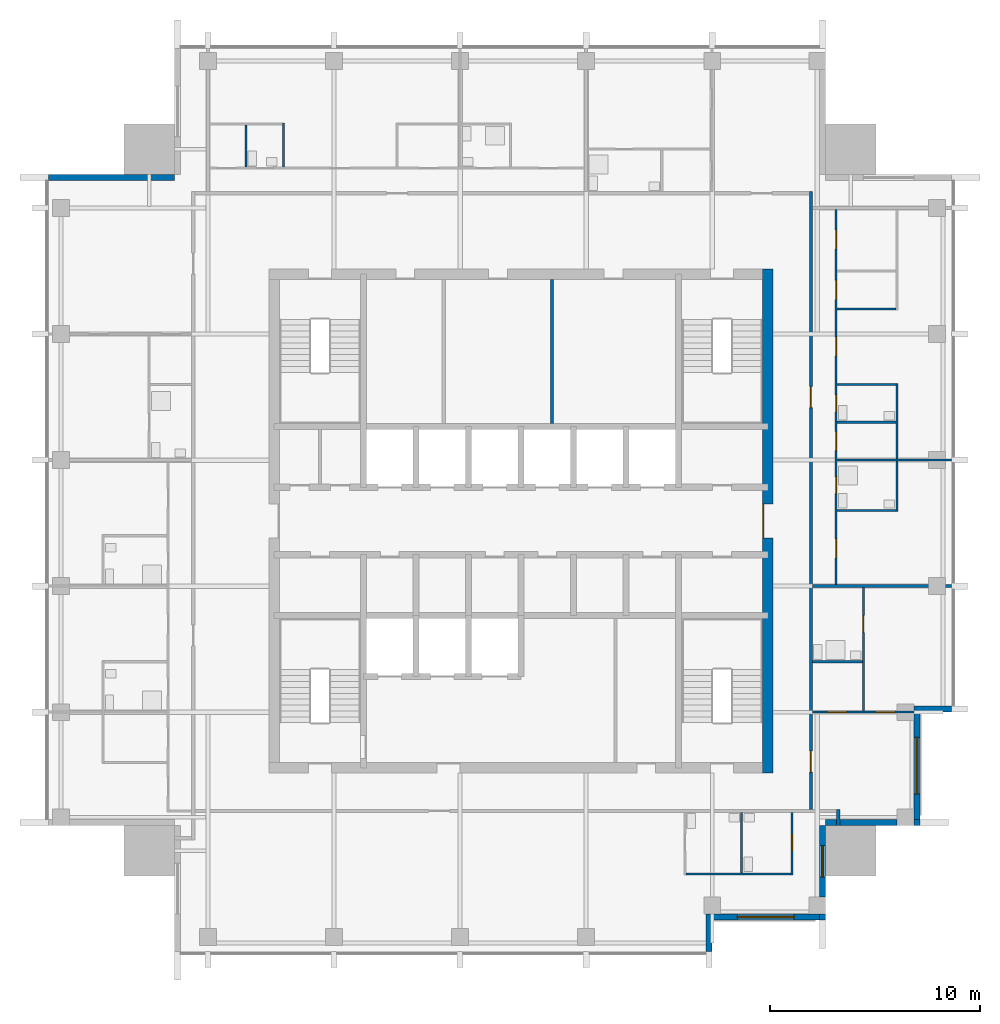
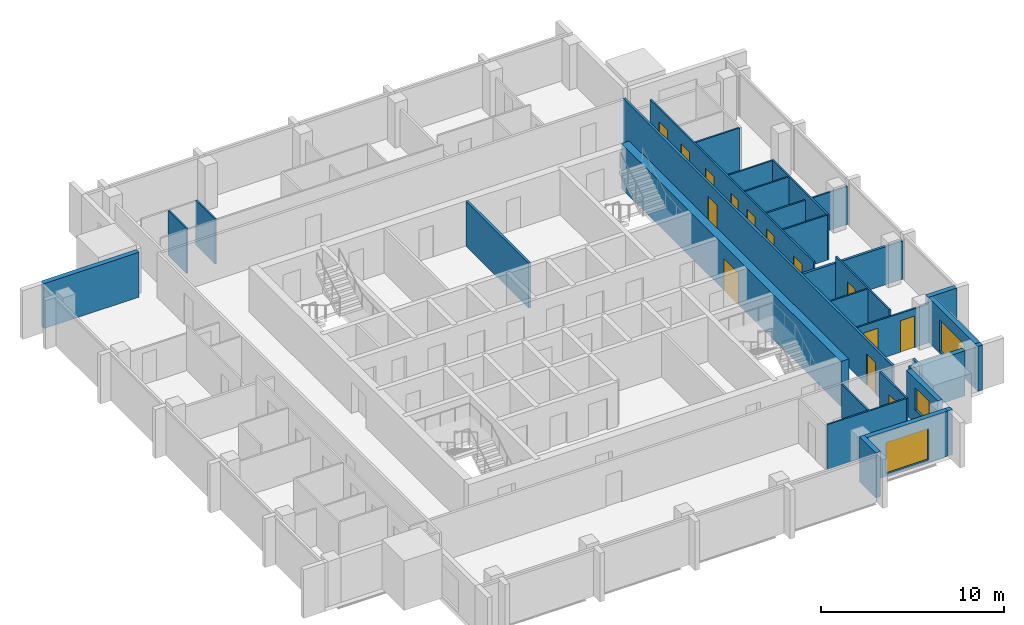
# One storey, part 5 of 9: 29 walls, 14 doors, 3 windows, 17 openings.
"""IFC4 building model written with IfcOpenShell, lengths in metres."""

from ifc_helpers import new_model, si_unit, direction, frame, frame_2d, origin, place, context, subcontext, project, spatial, rectangle, extrude, material, layer, layer_set, type_object, element, fill, save


model = new_model("IFC4")

# Units and contexts
model_context = context("Model", 3, precision=1e-05, world=origin(), true_north=direction((0.0, 1.0)))
body_context = subcontext(model_context, "Body", "Model", "MODEL_VIEW")
ifc_project = project(units=[si_unit("LENGTHUNIT", "METRE"), si_unit("AREAUNIT", "SQUARE_METRE"), si_unit("VOLUMEUNIT", "CUBIC_METRE"), si_unit("PLANEANGLEUNIT", "RADIAN"), si_unit("MASSUNIT", "GRAM", prefix="KILO")], contexts=[model_context])

# Site, building, storey
site_placement = place(None, origin())
site = spatial("IfcSite", under=ifc_project, at=site_placement, CompositionType="ELEMENT")
building_placement = place(site_placement, origin())
building = spatial("IfcBuilding", under=site, at=building_placement, Name="Amberfall Residences", CompositionType="ELEMENT")
storey_placement = place(building_placement, frame((0.0, 0.0, 278.5)))
storey = spatial("IfcBuildingStorey", under=building, at=storey_placement, Name="L75", CompositionType="ELEMENT", Elevation=278.5)

# Walls
ifc_material_1 = material(Name="Pale stone cladding on insulated backing", Category="masonry")
ifc_layer_1 = layer(ifc_material_1, 0.300048828125)
ifc_layer_set_1 = layer_set([ifc_layer_1], Name="Bronze clad wall 300")
wall_type_1 = type_object("IfcWallType", Name="Bronze clad wall 300", PredefinedType="SOLIDWALL", material=ifc_layer_set_1)
wall_1_placement = place(storey_placement, frame((83.449951171875, 25.0, 0.0), z_axis=(0.0, 0.0, 1.0), x_axis=(0.0, 1.0, 0.0)))
element("IfcWall", 1, at=wall_1_placement, inside=storey, type_object=wall_type_1, Name="External wall L75 S", PredefinedType="SOLIDWALL", context=body_context, shape_type="SweptSolid", body=[
    extrude(rectangle(XDim=1.800048828125, YDim=0.300048828125, at=frame_2d((0.89990234375, 0.0))), origin(), (0.0, 0.0, 1.0), 3.0),
])
wall_2_placement = place(storey_placement, frame((88.85009765625, 26.5, 0.0), z_axis=(0.0, 0.0, 1.0), x_axis=(0.0, 1.0, 0.0)))
element("IfcWall", 2, at=wall_2_placement, inside=storey, type_object=wall_type_1, Name="External wall L75 SE", PredefinedType="SOLIDWALL", context=body_context, shape_type="SweptSolid", body=[
    extrude(rectangle(XDim=0.300048828125, YDim=0.300048828125, at=frame_2d((0.14990234375, 0.0))), origin(), (0.0, 0.0, 1.0), 3.0),
])

# Wall, opening, window
wall_3_placement = place(storey_placement, frame((88.85009765625, 27.60009765625, 0.0), z_axis=(0.0, 0.0, 1.0), x_axis=(0.0, 1.0, 0.0)))
wall_3 = element("IfcWall", 3, at=wall_3_placement, inside=storey, type_object=wall_type_1, Name="External wall L75 SE", PredefinedType="SOLIDWALL", context=body_context, shape_type="SweptSolid", body=[
    extrude(rectangle(XDim=3.39990234375, YDim=0.300048828125, at=frame_2d((1.699951171875, 0.0))), origin(), (0.0, 0.0, 1.0), 3.0),
])
opening_1_placement = place(wall_3_placement, frame((0.949951171875, 0.0, 0.89990234375)))
opening_1 = element("IfcOpeningElement", 4, at=opening_1_placement, cuts=wall_3, Name="Opening WN1", PredefinedType="OPENING", context=body_context, shape_type="SweptSolid", body=[
    extrude(rectangle(XDim=1.5, YDim=1.5, at=frame_2d((0.75, 0.75))), frame((0.0, 0.159912109375, 0.0), z_axis=(0.0, -1.0, 0.0), x_axis=(1.0, 0.0, 0.0)), (0.0, 0.0, 1.0), 0.320068359375),
])
ifc_material_2 = material(Name="Bronze aluminium framed glazing", Category="aluminium")
window_type_1 = type_object("IfcWindowType", Name="Window 1500 x 1500 bronze", PartitioningType="DOUBLE_PANEL_VERTICAL", PredefinedType="WINDOW", material=ifc_material_2)
window_1_placement = place(opening_1_placement, origin())
window_1 = element("IfcWindow", 5, at=window_1_placement, inside=storey, type_object=window_type_1, Name="Window L75 SE", OverallHeight=1.5, OverallWidth=1.5, PartitioningType="DOUBLE_PANEL_VERTICAL", PredefinedType="WINDOW", context=body_context, shape_type="SweptSolid", body=[
    extrude(rectangle(XDim=1.5, YDim=1.5, at=frame_2d((0.75, 0.75))), frame((0.0, 0.030029296875, 0.0), z_axis=(0.0, -1.0, 0.0), x_axis=(1.0, 0.0, 0.0)), (0.0, 0.0, 1.0), 0.06005859375),
])
fill(opening_1, window_1)

# Walls
wall_4_placement = place(storey_placement, frame((89.0, 31.14990234375, 0.0), z_axis=(0.0, 0.0, 1.0), x_axis=(1.0, 0.0, 0.0)))
element("IfcWall", 6, at=wall_4_placement, inside=storey, type_object=wall_type_1, Name="External wall L75 SE", PredefinedType="SOLIDWALL", context=body_context, shape_type="SweptSolid", body=[
    extrude(rectangle(XDim=3.39990234375, YDim=0.300048828125, at=frame_2d((1.699951171875, 0.0))), origin(), (0.0, 0.0, 1.0), 3.0),
])
wall_5_placement = place(storey_placement, frame((93.199951171875, 31.14990234375, 0.0), z_axis=(0.0, 0.0, 1.0), x_axis=(1.0, 0.0, 0.0)))
element("IfcWall", 7, at=wall_5_placement, inside=storey, type_object=wall_type_1, Name="External wall L75 SE", PredefinedType="SOLIDWALL", context=body_context, shape_type="SweptSolid", body=[
    extrude(rectangle(XDim=0.300048828125, YDim=0.300048828125, at=frame_2d((0.14990234375, 0.0))), origin(), (0.0, 0.0, 1.0), 3.0),
])
wall_6_placement = place(storey_placement, frame((93.199951171875, 36.550048828125, 0.0), z_axis=(0.0, 0.0, 1.0), x_axis=(1.0, 0.0, 0.0)))
element("IfcWall", 8, at=wall_6_placement, inside=storey, type_object=wall_type_1, Name="External wall L75 E", PredefinedType="SOLIDWALL", context=body_context, shape_type="SweptSolid", body=[
    extrude(rectangle(XDim=1.800048828125, YDim=0.300048828125, at=frame_2d((0.89990234375, 0.0))), origin(), (0.0, 0.0, 1.0), 3.0),
])
wall_7_placement = place(storey_placement, frame((58.0, 61.85009765625, 0.0), z_axis=(0.0, 0.0, 1.0), x_axis=(-1.0, 0.0, 0.0)))
element("IfcWall", 9, at=wall_7_placement, inside=storey, type_object=wall_type_1, Name="External wall L75 NW", PredefinedType="SOLIDWALL", context=body_context, shape_type="SweptSolid", body=[
    extrude(rectangle(XDim=6.0, YDim=0.300048828125, at=frame_2d((3.0, 0.0))), origin(), (0.0, 0.0, 1.0), 3.0),
])

# Wall, opening, window
wall_8_placement = place(storey_placement, frame((83.60009765625, 26.64990234375, 0.0), z_axis=(0.0, 0.0, 1.0), x_axis=(1.0, 0.0, 0.0)))
wall_8 = element("IfcWall", 10, at=wall_8_placement, inside=storey, type_object=wall_type_1, Name="Stone wall L75 S", PredefinedType="SOLIDWALL", context=body_context, shape_type="SweptSolid", body=[
    extrude(rectangle(XDim=5.099853515625, YDim=0.300048828125, at=frame_2d((2.5498046875, 0.0))), origin(), (0.0, 0.0, 1.0), 3.0),
])
opening_2_placement = place(wall_8_placement, frame((1.199951171875, 0.0, 0.14990234375)))
opening_2 = element("IfcOpeningElement", 11, at=opening_2_placement, cuts=wall_8, Name="Opening WN4", PredefinedType="OPENING", context=body_context, shape_type="SweptSolid", body=[
    extrude(rectangle(XDim=2.699951171875, YDim=2.10009765625, at=frame_2d((1.35009765625, 1.050048828125))), frame((0.0, 0.159912109375, 0.0), z_axis=(0.0, -1.0, 0.0), x_axis=(1.0, 0.0, 0.0)), (0.0, 0.0, 1.0), 0.320068359375),
])
window_type_2 = type_object("IfcWindowType", Name="Glazed opening 2700 x 2100 bronze", PartitioningType="DOUBLE_PANEL_VERTICAL", PredefinedType="WINDOW", material=ifc_material_2)
window_2_placement = place(opening_2_placement, origin())
window_2 = element("IfcWindow", 12, at=window_2_placement, inside=storey, type_object=window_type_2, Name="Window L75 S", OverallHeight=2.10009765625, OverallWidth=2.699951171875, PartitioningType="DOUBLE_PANEL_VERTICAL", PredefinedType="WINDOW", context=body_context, shape_type="SweptSolid", body=[
    extrude(rectangle(XDim=2.699951171875, YDim=2.10009765625, at=frame_2d((1.35009765625, 1.050048828125))), frame((0.0, 0.030029296875, 0.0), z_axis=(0.0, -1.0, 0.0), x_axis=(1.0, 0.0, 0.0)), (0.0, 0.0, 1.0), 0.06005859375),
])
fill(opening_2, window_2)

wall_9_placement = place(storey_placement, frame((93.35009765625, 31.300048828125, 0.0), z_axis=(0.0, 0.0, 1.0), x_axis=(0.0, 1.0, 0.0)))
wall_9 = element("IfcWall", 13, at=wall_9_placement, inside=storey, type_object=wall_type_1, Name="Stone wall L75 E", PredefinedType="SOLIDWALL", context=body_context, shape_type="SweptSolid", body=[
    extrude(rectangle(XDim=5.099853515625, YDim=0.300048828125, at=frame_2d((2.5498046875, 0.0))), origin(), (0.0, 0.0, 1.0), 3.0),
])
opening_3_placement = place(wall_9_placement, frame((1.199951171875, 0.0, 0.14990234375)))
opening_3 = element("IfcOpeningElement", 14, at=opening_3_placement, cuts=wall_9, Name="Opening WN4", PredefinedType="OPENING", context=body_context, shape_type="SweptSolid", body=[
    extrude(rectangle(XDim=2.699951171875, YDim=2.10009765625, at=frame_2d((1.35009765625, 1.050048828125))), frame((0.0, 0.159912109375, 0.0), z_axis=(0.0, -1.0, 0.0), x_axis=(1.0, 0.0, 0.0)), (0.0, 0.0, 1.0), 0.320068359375),
])
window_3_placement = place(opening_3_placement, origin())
window_3 = element("IfcWindow", 15, at=window_3_placement, inside=storey, type_object=window_type_2, Name="Window L75 E", OverallHeight=2.10009765625, OverallWidth=2.699951171875, PartitioningType="DOUBLE_PANEL_VERTICAL", PredefinedType="WINDOW", context=body_context, shape_type="SweptSolid", body=[
    extrude(rectangle(XDim=2.699951171875, YDim=2.10009765625, at=frame_2d((1.35009765625, 1.050048828125))), frame((0.0, 0.030029296875, 0.0), z_axis=(0.0, -1.0, 0.0), x_axis=(1.0, 0.0, 0.0)), (0.0, 0.0, 1.0), 0.06005859375),
])
fill(opening_3, window_3)

# Wall, opening, door
ifc_material_3 = material(Name="Concrete C50", Category="concrete")
ifc_layer_2 = layer(ifc_material_3, 0.5)
ifc_layer_set_2 = layer_set([ifc_layer_2], Name="Core wall 500 C50")
wall_type_2 = type_object("IfcWallType", Name="Core wall 500 C50", PredefinedType="SHEAR", material=ifc_layer_set_2)
wall_10_placement = place(storey_placement, frame((86.25, 33.5, 0.0), z_axis=(0.0, 0.0, 1.0), x_axis=(0.0, 1.0, 0.0)))
wall_10 = element("IfcWall", 16, at=wall_10_placement, inside=storey, type_object=wall_type_2, Name="Core wall RW9 L75 OE", PredefinedType="SHEAR", context=body_context, shape_type="SweptSolid", body=[
    extrude(rectangle(XDim=24.0, YDim=0.5, at=frame_2d((12.0, 0.0))), origin(), (0.0, 0.0, 1.0), 3.0),
])
opening_4_placement = place(wall_10_placement, frame((11.199951171875, 0.0, 0.0)))
opening_4 = element("IfcOpeningElement", 17, at=opening_4_placement, cuts=wall_10, Name="Opening LB1", PredefinedType="OPENING", context=body_context, shape_type="SweptSolid", body=[
    extrude(rectangle(XDim=1.60009765625, YDim=2.10009765625, at=frame_2d((0.800048828125, 1.050048828125))), frame((0.0, 0.260009765625, 0.0), z_axis=(0.0, -1.0, 0.0), x_axis=(1.0, 0.0, 0.0)), (0.0, 0.0, 1.0), 0.52001953125),
])
ifc_material_4 = material(Name="Steel fire door set", Category="steel")
door_type_1 = type_object("IfcDoorType", Name="Lift lobby double door 1600 x 2100", OperationType="DOUBLE_DOOR_SINGLE_SWING", PredefinedType="DOOR", material=ifc_material_4)
door_1_placement = place(opening_4_placement, origin())
door_1 = element("IfcDoor", 18, at=door_1_placement, inside=storey, type_object=door_type_1, Name="LB1 L75", OperationType="DOUBLE_DOOR_SINGLE_SWING", OverallHeight=2.10009765625, OverallWidth=1.60009765625, PredefinedType="DOOR", context=body_context, shape_type="SweptSolid", body=[
    extrude(rectangle(XDim=1.60009765625, YDim=2.10009765625, at=frame_2d((0.800048828125, 1.050048828125))), frame((0.0, 0.2373046875, 0.0), z_axis=(0.0, -1.0, 0.0), x_axis=(1.0, 0.0, 0.0)), (0.0, 0.0, 1.0), 0.050048828125),
])
fill(opening_4, door_1)

# Walls
ifc_material_5 = material(Name="Gypsum board on metal stud")
ifc_layer_3 = layer(ifc_material_5, 0.10009765625)
ifc_layer_set_3 = layer_set([ifc_layer_3], Name="Flat partition 100")
wall_type_3 = type_object("IfcWallType", Name="Flat partition 100", PredefinedType="PARTITIONING", material=ifc_layer_set_3)
wall_11_placement = place(storey_placement, frame((61.39990234375, 62.35009765625, 0.0), z_axis=(0.0, 0.0, 1.0), x_axis=(0.0, 1.0, 0.0)))
element("IfcWall", 19, at=wall_11_placement, inside=storey, type_object=wall_type_3, Name="Partition 005", PredefinedType="PARTITIONING", context=body_context, shape_type="SweptSolid", body=[
    extrude(rectangle(XDim=2.0, YDim=0.10009765625, at=frame_2d((1.0, 0.0))), origin(), (0.0, 0.0, 1.0), 3.0),
])
wall_12_placement = place(storey_placement, frame((63.199951171875, 62.35009765625, 0.0), z_axis=(0.0, 0.0, 1.0), x_axis=(0.0, 1.0, 0.0)))
element("IfcWall", 20, at=wall_12_placement, inside=storey, type_object=wall_type_3, Name="Partition 006", PredefinedType="PARTITIONING", context=body_context, shape_type="SweptSolid", body=[
    extrude(rectangle(XDim=2.099853515625, YDim=0.10009765625, at=frame_2d((1.0498046875, 0.0))), origin(), (0.0, 0.0, 1.0), 3.0),
])
wall_13_placement = place(storey_placement, frame((85.0, 28.75, 0.0), z_axis=(0.0, 0.0, 1.0), x_axis=(0.0, 1.0, 0.0)))
element("IfcWall", 21, at=wall_13_placement, inside=storey, type_object=wall_type_3, Name="Partition 013", PredefinedType="PARTITIONING", context=body_context, shape_type="SweptSolid", body=[
    extrude(rectangle(XDim=2.875, YDim=0.10009765625, at=frame_2d((1.4375, 0.0))), origin(), (0.0, 0.0, 1.0), 3.0),
])

# Wall, opening, door
wall_14_placement = place(storey_placement, frame((87.39990234375, 28.64990234375, 0.0), z_axis=(0.0, 0.0, 1.0), x_axis=(0.0, 1.0, 0.0)))
wall_14 = element("IfcWall", 22, at=wall_14_placement, inside=storey, type_object=wall_type_3, Name="Partition 014", PredefinedType="PARTITIONING", context=body_context, shape_type="SweptSolid", body=[
    extrude(rectangle(XDim=2.97509765625, YDim=0.10009765625, at=frame_2d((1.487548828125, 0.0))), origin(), (0.0, 0.0, 1.0), 3.0),
])
opening_5_placement = place(wall_14_placement, frame((1.14990234375, 0.0, 0.0)))
opening_5 = element("IfcOpeningElement", 23, at=opening_5_placement, cuts=wall_14, Name="Opening D42", PredefinedType="OPENING", context=body_context, shape_type="SweptSolid", body=[
    extrude(rectangle(XDim=0.800048828125, YDim=2.10009765625, at=frame_2d((0.39990234375, 1.050048828125))), frame((0.0, 0.06005859375, 0.0), z_axis=(0.0, -1.0, 0.0), x_axis=(1.0, 0.0, 0.0)), (0.0, 0.0, 1.0), 0.1201171875),
])
ifc_material_6 = material(Name="Timber", Category="wood")
door_type_2 = type_object("IfcDoorType", Name="Bathroom door 800 x 2100", OperationType="SINGLE_SWING_LEFT", PredefinedType="DOOR", material=ifc_material_6)
door_2_placement = place(opening_5_placement, origin())
door_2 = element("IfcDoor", 24, at=door_2_placement, inside=storey, type_object=door_type_2, Name="Door L75 u00 wc2", OperationType="SINGLE_SWING_LEFT", OverallHeight=2.10009765625, OverallWidth=0.800048828125, PredefinedType="DOOR", context=body_context, shape_type="SweptSolid", body=[
    extrude(rectangle(XDim=0.800048828125, YDim=2.10009765625, at=frame_2d((0.39990234375, 1.050048828125))), frame((0.0, 0.02490234375, 0.0), z_axis=(0.0, -1.0, 0.0), x_axis=(1.0, 0.0, 0.0)), (0.0, 0.0, 1.0), 0.050048828125),
])
fill(opening_5, door_2)

# Wall, openings, doors
wall_15_placement = place(storey_placement, frame((89.5, 60.324951171875, 0.0), z_axis=(0.0, 0.0, 1.0), x_axis=(0.0, -1.0, 0.0)))
wall_15 = element("IfcWall", 25, at=wall_15_placement, inside=storey, type_object=wall_type_3, Name="Partition 015", PredefinedType="PARTITIONING", context=body_context, shape_type="SweptSolid", body=[
    extrude(rectangle(XDim=17.849853515625, YDim=0.10009765625, at=frame_2d((8.9248046875, 0.0))), origin(), (0.0, 0.0, 1.0), 3.0),
])
opening_6_placement = place(wall_15_placement, frame((6.074951171875, 0.0, 0.0)))
opening_6 = element("IfcOpeningElement", 26, at=opening_6_placement, cuts=wall_15, Name="Opening D41", PredefinedType="OPENING", context=body_context, shape_type="SweptSolid", body=[
    extrude(rectangle(XDim=0.89990234375, YDim=2.10009765625, at=frame_2d((0.449951171875, 1.050048828125))), frame((0.0, 0.06005859375, 0.0), z_axis=(0.0, -1.0, 0.0), x_axis=(1.0, 0.0, 0.0)), (0.0, 0.0, 1.0), 0.1201171875),
])
opening_7_placement = place(wall_15_placement, frame((0.97509765625, 0.0, 0.0)))
opening_7 = element("IfcOpeningElement", 27, at=opening_7_placement, cuts=wall_15, Name="Opening D41", PredefinedType="OPENING", context=body_context, shape_type="SweptSolid", body=[
    extrude(rectangle(XDim=0.89990234375, YDim=2.10009765625, at=frame_2d((0.449951171875, 1.050048828125))), frame((0.0, 0.06005859375, 0.0), z_axis=(0.0, -1.0, 0.0), x_axis=(1.0, 0.0, 0.0)), (0.0, 0.0, 1.0), 0.1201171875),
])
opening_8_placement = place(wall_15_placement, frame((3.375, 0.0, 0.0)))
opening_8 = element("IfcOpeningElement", 28, at=opening_8_placement, cuts=wall_15, Name="Opening D41", PredefinedType="OPENING", context=body_context, shape_type="SweptSolid", body=[
    extrude(rectangle(XDim=0.89990234375, YDim=2.10009765625, at=frame_2d((0.449951171875, 1.050048828125))), frame((0.0, 0.06005859375, 0.0), z_axis=(0.0, -1.0, 0.0), x_axis=(1.0, 0.0, 0.0)), (0.0, 0.0, 1.0), 0.1201171875),
])
opening_9_placement = place(wall_15_placement, frame((10.574951171875, 0.0, 0.0)))
opening_9 = element("IfcOpeningElement", 29, at=opening_9_placement, cuts=wall_15, Name="Opening D41", PredefinedType="OPENING", context=body_context, shape_type="SweptSolid", body=[
    extrude(rectangle(XDim=0.89990234375, YDim=2.10009765625, at=frame_2d((0.449951171875, 1.050048828125))), frame((0.0, 0.06005859375, 0.0), z_axis=(0.0, -1.0, 0.0), x_axis=(1.0, 0.0, 0.0)), (0.0, 0.0, 1.0), 0.1201171875),
])
opening_10_placement = place(wall_15_placement, frame((8.824951171875, 0.0, 0.0)))
opening_10 = element("IfcOpeningElement", 30, at=opening_10_placement, cuts=wall_15, Name="Opening D42", PredefinedType="OPENING", context=body_context, shape_type="SweptSolid", body=[
    extrude(rectangle(XDim=0.800048828125, YDim=2.10009765625, at=frame_2d((0.39990234375, 1.050048828125))), frame((0.0, 0.06005859375, 0.0), z_axis=(0.0, -1.0, 0.0), x_axis=(1.0, 0.0, 0.0)), (0.0, 0.0, 1.0), 0.1201171875),
])
opening_11_placement = place(wall_15_placement, frame((15.675048828125, 0.0, 0.0)))
opening_11 = element("IfcOpeningElement", 31, at=opening_11_placement, cuts=wall_15, Name="Opening D41", PredefinedType="OPENING", context=body_context, shape_type="SweptSolid", body=[
    extrude(rectangle(XDim=0.89990234375, YDim=2.10009765625, at=frame_2d((0.449951171875, 1.050048828125))), frame((0.0, 0.06005859375, 0.0), z_axis=(0.0, -1.0, 0.0), x_axis=(1.0, 0.0, 0.0)), (0.0, 0.0, 1.0), 0.1201171875),
])
opening_12_placement = place(wall_15_placement, frame((12.72509765625, 0.0, 0.0)))
opening_12 = element("IfcOpeningElement", 32, at=opening_12_placement, cuts=wall_15, Name="Opening D42", PredefinedType="OPENING", context=body_context, shape_type="SweptSolid", body=[
    extrude(rectangle(XDim=0.800048828125, YDim=2.10009765625, at=frame_2d((0.39990234375, 1.050048828125))), frame((0.0, 0.06005859375, 0.0), z_axis=(0.0, -1.0, 0.0), x_axis=(1.0, 0.0, 0.0)), (0.0, 0.0, 1.0), 0.1201171875),
])
door_3_placement = place(opening_10_placement, origin())
door_3 = element("IfcDoor", 33, at=door_3_placement, inside=storey, type_object=door_type_2, Name="Door 7502 wc1", OperationType="SINGLE_SWING_LEFT", OverallHeight=2.10009765625, OverallWidth=0.800048828125, PredefinedType="DOOR", context=body_context, shape_type="SweptSolid", body=[
    extrude(rectangle(XDim=0.800048828125, YDim=2.10009765625, at=frame_2d((0.39990234375, 1.050048828125))), frame((0.0, 0.02490234375, 0.0), z_axis=(0.0, -1.0, 0.0), x_axis=(1.0, 0.0, 0.0)), (0.0, 0.0, 1.0), 0.050048828125),
])
fill(opening_10, door_3)
door_4_placement = place(opening_12_placement, origin())
door_4 = element("IfcDoor", 34, at=door_4_placement, inside=storey, type_object=door_type_2, Name="Door 7502 bath1", OperationType="SINGLE_SWING_LEFT", OverallHeight=2.10009765625, OverallWidth=0.800048828125, PredefinedType="DOOR", context=body_context, shape_type="SweptSolid", body=[
    extrude(rectangle(XDim=0.800048828125, YDim=2.10009765625, at=frame_2d((0.39990234375, 1.050048828125))), frame((0.0, 0.02490234375, 0.0), z_axis=(0.0, -1.0, 0.0), x_axis=(1.0, 0.0, 0.0)), (0.0, 0.0, 1.0), 0.050048828125),
])
fill(opening_12, door_4)
door_type_3 = type_object("IfcDoorType", Name="Internal door 900 x 2100", OperationType="SINGLE_SWING_LEFT", PredefinedType="DOOR", material=ifc_material_6)
door_5_placement = place(opening_6_placement, origin())
door_5 = element("IfcDoor", 35, at=door_5_placement, inside=storey, type_object=door_type_3, Name="Door 7502 living", OperationType="SINGLE_SWING_LEFT", OverallHeight=2.10009765625, OverallWidth=0.89990234375, PredefinedType="DOOR", context=body_context, shape_type="SweptSolid", body=[
    extrude(rectangle(XDim=0.89990234375, YDim=2.10009765625, at=frame_2d((0.449951171875, 1.050048828125))), frame((0.0, 0.02490234375, 0.0), z_axis=(0.0, -1.0, 0.0), x_axis=(1.0, 0.0, 0.0)), (0.0, 0.0, 1.0), 0.050048828125),
])
fill(opening_6, door_5)
door_6_placement = place(opening_7_placement, origin())
door_6 = element("IfcDoor", 36, at=door_6_placement, inside=storey, type_object=door_type_3, Name="Door 7502 kitchen", OperationType="SINGLE_SWING_LEFT", OverallHeight=2.10009765625, OverallWidth=0.89990234375, PredefinedType="DOOR", context=body_context, shape_type="SweptSolid", body=[
    extrude(rectangle(XDim=0.89990234375, YDim=2.10009765625, at=frame_2d((0.449951171875, 1.050048828125))), frame((0.0, 0.02490234375, 0.0), z_axis=(0.0, -1.0, 0.0), x_axis=(1.0, 0.0, 0.0)), (0.0, 0.0, 1.0), 0.050048828125),
])
fill(opening_7, door_6)
door_7_placement = place(opening_8_placement, origin())
door_7 = element("IfcDoor", 37, at=door_7_placement, inside=storey, type_object=door_type_3, Name="Door 7502 utility", OperationType="SINGLE_SWING_LEFT", OverallHeight=2.10009765625, OverallWidth=0.89990234375, PredefinedType="DOOR", context=body_context, shape_type="SweptSolid", body=[
    extrude(rectangle(XDim=0.89990234375, YDim=2.10009765625, at=frame_2d((0.449951171875, 1.050048828125))), frame((0.0, 0.02490234375, 0.0), z_axis=(0.0, -1.0, 0.0), x_axis=(1.0, 0.0, 0.0)), (0.0, 0.0, 1.0), 0.050048828125),
])
fill(opening_8, door_7)
door_8_placement = place(opening_9_placement, origin())
door_8 = element("IfcDoor", 38, at=door_8_placement, inside=storey, type_object=door_type_3, Name="Door 7502 store", OperationType="SINGLE_SWING_LEFT", OverallHeight=2.10009765625, OverallWidth=0.89990234375, PredefinedType="DOOR", context=body_context, shape_type="SweptSolid", body=[
    extrude(rectangle(XDim=0.89990234375, YDim=2.10009765625, at=frame_2d((0.449951171875, 1.050048828125))), frame((0.0, 0.02490234375, 0.0), z_axis=(0.0, -1.0, 0.0), x_axis=(1.0, 0.0, 0.0)), (0.0, 0.0, 1.0), 0.050048828125),
])
fill(opening_9, door_8)
door_9_placement = place(opening_11_placement, origin())
door_9 = element("IfcDoor", 39, at=door_9_placement, inside=storey, type_object=door_type_3, Name="Door 7502 bedroom1", OperationType="SINGLE_SWING_LEFT", OverallHeight=2.10009765625, OverallWidth=0.89990234375, PredefinedType="DOOR", context=body_context, shape_type="SweptSolid", body=[
    extrude(rectangle(XDim=0.89990234375, YDim=2.10009765625, at=frame_2d((0.449951171875, 1.050048828125))), frame((0.0, 0.02490234375, 0.0), z_axis=(0.0, -1.0, 0.0), x_axis=(1.0, 0.0, 0.0)), (0.0, 0.0, 1.0), 0.050048828125),
])
fill(opening_11, door_9)

# Wall, opening, door
wall_16_placement = place(storey_placement, frame((90.800048828125, 36.449951171875, 0.0), z_axis=(0.0, 0.0, 1.0), x_axis=(0.0, 1.0, 0.0)))
wall_16 = element("IfcWall", 40, at=wall_16_placement, inside=storey, type_object=wall_type_3, Name="Partition 016", PredefinedType="PARTITIONING", context=body_context, shape_type="SweptSolid", body=[
    extrude(rectangle(XDim=5.875, YDim=0.10009765625, at=frame_2d((2.9375, 0.0))), origin(), (0.0, 0.0, 1.0), 3.0),
])
opening_13_placement = place(wall_16_placement, frame((3.75, 0.0, 0.0)))
opening_13 = element("IfcOpeningElement", 41, at=opening_13_placement, cuts=wall_16, Name="Opening D42", PredefinedType="OPENING", context=body_context, shape_type="SweptSolid", body=[
    extrude(rectangle(XDim=0.800048828125, YDim=2.10009765625, at=frame_2d((0.39990234375, 1.050048828125))), frame((0.0, 0.06005859375, 0.0), z_axis=(0.0, -1.0, 0.0), x_axis=(1.0, 0.0, 0.0)), (0.0, 0.0, 1.0), 0.1201171875),
])
door_10_placement = place(opening_13_placement, origin())
door_10 = element("IfcDoor", 42, at=door_10_placement, inside=storey, type_object=door_type_2, Name="Door 7501 bath1", OperationType="SINGLE_SWING_LEFT", OverallHeight=2.10009765625, OverallWidth=0.800048828125, PredefinedType="DOOR", context=body_context, shape_type="SweptSolid", body=[
    extrude(rectangle(XDim=0.800048828125, YDim=2.10009765625, at=frame_2d((0.39990234375, 1.050048828125))), frame((0.0, 0.02490234375, 0.0), z_axis=(0.0, -1.0, 0.0), x_axis=(1.0, 0.0, 0.0)), (0.0, 0.0, 1.0), 0.050048828125),
])
fill(opening_13, door_10)

# Walls
wall_17_placement = place(storey_placement, frame((92.39990234375, 45.949951171875, 0.0), z_axis=(0.0, 0.0, 1.0), x_axis=(0.0, 1.0, 0.0)))
element("IfcWall", 43, at=wall_17_placement, inside=storey, type_object=wall_type_3, Name="Partition 017", PredefinedType="PARTITIONING", context=body_context, shape_type="SweptSolid", body=[
    extrude(rectangle(XDim=6.10009765625, YDim=0.10009765625, at=frame_2d((3.050048828125, 0.0))), origin(), (0.0, 0.0, 1.0), 3.0),
])
for number, where, z_axis, x_axis, name in (
    (44, (89.550048828125, 55.60009765625, 0.0), (0.0, 0.0, 1.0), (1.0, 0.0, 0.0), "Partition 024"),
    (45, (89.550048828125, 52.0, 0.0), (0.0, 0.0, 1.0), (1.0, 0.0, 0.0), "Partition 027"),
    (46, (89.550048828125, 50.199951171875, 0.0), (0.0, 0.0, 1.0), (1.0, 0.0, 0.0), "Partition 028"),
):
    element("IfcWall", number, at=place(storey_placement, frame(where, z_axis=z_axis, x_axis=x_axis)), inside=storey, type_object=wall_type_3, Name=name, PredefinedType="PARTITIONING", context=body_context, shape_type="SweptSolid", body=[
        extrude(rectangle(XDim=2.800048828125, YDim=0.10009765625, at=frame_2d((1.39990234375, 0.0))), origin(), (0.0, 0.0, 1.0), 3.0),
    ])
wall_18_placement = place(storey_placement, frame((89.550048828125, 48.39990234375, 0.0), z_axis=(0.0, 0.0, 1.0), x_axis=(1.0, 0.0, 0.0)))
element("IfcWall", 47, at=wall_18_placement, inside=storey, type_object=wall_type_3, Name="Partition 029", PredefinedType="PARTITIONING", context=body_context, shape_type="SweptSolid", body=[
    extrude(rectangle(XDim=5.449951171875, YDim=0.10009765625, at=frame_2d((2.72509765625, 0.0))), origin(), (0.0, 0.0, 1.0), 2.5390625),
])
wall_19_placement = place(storey_placement, frame((89.550048828125, 46.0, 0.0), z_axis=(0.0, 0.0, 1.0), x_axis=(1.0, 0.0, 0.0)))
element("IfcWall", 48, at=wall_19_placement, inside=storey, type_object=wall_type_3, Name="Partition 030", PredefinedType="PARTITIONING", context=body_context, shape_type="SweptSolid", body=[
    extrude(rectangle(XDim=2.800048828125, YDim=0.10009765625, at=frame_2d((1.39990234375, 0.0))), origin(), (0.0, 0.0, 1.0), 3.0),
])
wall_20_placement = place(storey_placement, frame((88.375, 38.800048828125, 0.0), z_axis=(0.0, 0.0, 1.0), x_axis=(1.0, 0.0, 0.0)))
element("IfcWall", 49, at=wall_20_placement, inside=storey, type_object=wall_type_3, Name="Partition 034", PredefinedType="PARTITIONING", context=body_context, shape_type="SweptSolid", body=[
    extrude(rectangle(XDim=2.375, YDim=0.10009765625, at=frame_2d((1.1875, 0.0))), origin(), (0.0, 0.0, 1.0), 3.0),
])

# Wall, openings, doors
wall_21_placement = place(storey_placement, frame((88.375, 36.39990234375, 0.0), z_axis=(0.0, 0.0, 1.0), x_axis=(1.0, 0.0, 0.0)))
wall_21 = element("IfcWall", 50, at=wall_21_placement, inside=storey, type_object=wall_type_3, Name="Partition 036", PredefinedType="PARTITIONING", context=body_context, shape_type="SweptSolid", body=[
    extrude(rectangle(XDim=5.125, YDim=0.10009765625, at=frame_2d((2.5625, 0.0))), origin(), (0.0, 0.0, 1.0), 2.596923828125),
])
opening_14_placement = place(wall_21_placement, frame((0.72509765625, 0.0, 0.0)))
opening_14 = element("IfcOpeningElement", 51, at=opening_14_placement, cuts=wall_21, Name="Opening D41", PredefinedType="OPENING", context=body_context, shape_type="SweptSolid", body=[
    extrude(rectangle(XDim=0.89990234375, YDim=2.10009765625, at=frame_2d((0.449951171875, 1.050048828125))), frame((0.0, 0.06005859375, 0.0), z_axis=(0.0, -1.0, 0.0), x_axis=(1.0, 0.0, 0.0)), (0.0, 0.0, 1.0), 0.1201171875),
])
opening_15_placement = place(wall_21_placement, frame((3.02490234375, 0.0, 0.0)))
opening_15 = element("IfcOpeningElement", 52, at=opening_15_placement, cuts=wall_21, Name="Opening D41", PredefinedType="OPENING", context=body_context, shape_type="SweptSolid", body=[
    extrude(rectangle(XDim=0.89990234375, YDim=2.10009765625, at=frame_2d((0.449951171875, 1.050048828125))), frame((0.0, 0.06005859375, 0.0), z_axis=(0.0, -1.0, 0.0), x_axis=(1.0, 0.0, 0.0)), (0.0, 0.0, 1.0), 0.1201171875),
])
door_11_placement = place(opening_14_placement, origin())
door_11 = element("IfcDoor", 53, at=door_11_placement, inside=storey, type_object=door_type_3, Name="Door 7501 kitchen", OperationType="SINGLE_SWING_LEFT", OverallHeight=2.10009765625, OverallWidth=0.89990234375, PredefinedType="DOOR", context=body_context, shape_type="SweptSolid", body=[
    extrude(rectangle(XDim=0.89990234375, YDim=2.10009765625, at=frame_2d((0.449951171875, 1.050048828125))), frame((0.0, 0.02490234375, 0.0), z_axis=(0.0, -1.0, 0.0), x_axis=(1.0, 0.0, 0.0)), (0.0, 0.0, 1.0), 0.050048828125),
])
fill(opening_14, door_11)
door_12_placement = place(opening_15_placement, origin())
door_12 = element("IfcDoor", 54, at=door_12_placement, inside=storey, type_object=door_type_3, Name="Door 7501 bedroom1", OperationType="SINGLE_SWING_LEFT", OverallHeight=2.10009765625, OverallWidth=0.89990234375, PredefinedType="DOOR", context=body_context, shape_type="SweptSolid", body=[
    extrude(rectangle(XDim=0.89990234375, YDim=2.10009765625, at=frame_2d((0.449951171875, 1.050048828125))), frame((0.0, 0.02490234375, 0.0), z_axis=(0.0, -1.0, 0.0), x_axis=(1.0, 0.0, 0.0)), (0.0, 0.0, 1.0), 0.050048828125),
])
fill(opening_15, door_12)

# Wall
wall_22_placement = place(storey_placement, frame((82.35009765625, 28.699951171875, 0.0), z_axis=(0.0, 0.0, 1.0), x_axis=(1.0, 0.0, 0.0)))
element("IfcWall", 55, at=wall_22_placement, inside=storey, type_object=wall_type_3, Name="Partition 039", PredefinedType="PARTITIONING", context=body_context, shape_type="SweptSolid", body=[
    extrude(rectangle(XDim=5.0, YDim=0.10009765625, at=frame_2d((2.5, 0.0))), origin(), (0.0, 0.0, 1.0), 3.0),
])

# Wall, openings, doors
ifc_material_7 = material(Name="Blockwork, plastered", Category="masonry")
ifc_layer_4 = layer(ifc_material_7, 0.14990234375)
ifc_layer_set_4 = layer_set([ifc_layer_4], Name="Flat separating wall 150")
wall_type_4 = type_object("IfcWallType", Name="Flat separating wall 150", PredefinedType="PARTITIONING", material=ifc_layer_set_4)
wall_23_placement = place(storey_placement, frame((88.300048828125, 61.175048828125, 0.0), z_axis=(0.0, 0.0, 1.0), x_axis=(0.0, -1.0, 0.0)))
wall_23 = element("IfcWall", 56, at=wall_23_placement, inside=storey, type_object=wall_type_4, Name="Separating wall 043", PredefinedType="PARTITIONING", context=body_context, shape_type="SweptSolid", body=[
    extrude(rectangle(XDim=29.400146484375, YDim=0.14990234375, at=frame_2d((14.7001953125, 0.0))), origin(), (0.0, 0.0, 1.0), 3.0),
])
opening_16_placement = place(wall_23_placement, frame((26.625, 0.0, 0.0)))
opening_16 = element("IfcOpeningElement", 57, at=opening_16_placement, cuts=wall_23, Name="Opening D40", PredefinedType="OPENING", context=body_context, shape_type="SweptSolid", body=[
    extrude(rectangle(XDim=1.0, YDim=2.10009765625, at=frame_2d((0.5, 1.050048828125))), frame((0.0, 0.0849609375, 0.0), z_axis=(0.0, -1.0, 0.0), x_axis=(1.0, 0.0, 0.0)), (0.0, 0.0, 1.0), 0.169921875),
])
opening_17_placement = place(wall_23_placement, frame((9.27490234375, 0.0, 0.0)))
opening_17 = element("IfcOpeningElement", 58, at=opening_17_placement, cuts=wall_23, Name="Opening D40", PredefinedType="OPENING", context=body_context, shape_type="SweptSolid", body=[
    extrude(rectangle(XDim=1.0, YDim=2.10009765625, at=frame_2d((0.5, 1.050048828125))), frame((0.0, 0.0849609375, 0.0), z_axis=(0.0, -1.0, 0.0), x_axis=(1.0, 0.0, 0.0)), (0.0, 0.0, 1.0), 0.169921875),
])
ifc_material_8 = material(Name="Timber, fire-rated", Category="wood")
door_type_4 = type_object("IfcDoorType", Name="Flat entrance door FD60 1000 x 2100", OperationType="SINGLE_SWING_LEFT", PredefinedType="DOOR", material=ifc_material_8)
door_13_placement = place(opening_16_placement, origin())
door_13 = element("IfcDoor", 59, at=door_13_placement, inside=storey, type_object=door_type_4, Name="Door 7501 entrance", OperationType="SINGLE_SWING_LEFT", OverallHeight=2.10009765625, OverallWidth=1.0, PredefinedType="DOOR", context=body_context, shape_type="SweptSolid", body=[
    extrude(rectangle(XDim=1.0, YDim=2.10009765625, at=frame_2d((0.5, 1.050048828125))), frame((0.0, 0.02490234375, 0.0), z_axis=(0.0, -1.0, 0.0), x_axis=(1.0, 0.0, 0.0)), (0.0, 0.0, 1.0), 0.050048828125),
])
fill(opening_16, door_13)
door_14_placement = place(opening_17_placement, origin())
door_14 = element("IfcDoor", 60, at=door_14_placement, inside=storey, type_object=door_type_4, Name="Door 7502 entrance", OperationType="SINGLE_SWING_LEFT", OverallHeight=2.10009765625, OverallWidth=1.0, PredefinedType="DOOR", context=body_context, shape_type="SweptSolid", body=[
    extrude(rectangle(XDim=1.0, YDim=2.10009765625, at=frame_2d((0.5, 1.050048828125))), frame((0.0, 0.02490234375, 0.0), z_axis=(0.0, -1.0, 0.0), x_axis=(1.0, 0.0, 0.0)), (0.0, 0.0, 1.0), 0.050048828125),
])
fill(opening_17, door_14)

# Walls
wall_24_placement = place(storey_placement, frame((89.60009765625, 31.0, 0.0), z_axis=(0.0, 0.0, 1.0), x_axis=(0.0, 1.0, 0.0)))
element("IfcWall", 61, at=wall_24_placement, inside=storey, type_object=wall_type_4, Name="Separating wall 044", PredefinedType="PARTITIONING", context=body_context, shape_type="SweptSolid", body=[
    extrude(rectangle(XDim=0.77490234375, YDim=0.14990234375, at=frame_2d((0.387451171875, 0.0))), origin(), (0.0, 0.0, 1.0), 3.0),
])
wall_25_placement = place(storey_placement, frame((88.375, 42.39990234375, 0.0), z_axis=(0.0, 0.0, 1.0), x_axis=(1.0, 0.0, 0.0)))
element("IfcWall", 62, at=wall_25_placement, inside=storey, type_object=wall_type_4, Name="Separating wall 048", PredefinedType="PARTITIONING", context=body_context, shape_type="SweptSolid", body=[
    extrude(rectangle(XDim=6.625, YDim=0.14990234375, at=frame_2d((3.3125, 0.0))), origin(), (0.0, 0.0, 1.0), 2.5390625),
])
ifc_material_9 = material(Name="Concrete blockwork", Category="masonry")
ifc_layer_5 = layer(ifc_material_9, 0.14990234375)
ifc_layer_set_5 = layer_set([ifc_layer_5], Name="Riser wall 150")
wall_type_5 = type_object("IfcWallType", Name="Riser wall 150", PredefinedType="PLUMBINGWALL", material=ifc_layer_set_5)
wall_26_placement = place(storey_placement, frame((75.969970703125, 50.14990234375, 0.0), z_axis=(0.0, 0.0, 1.0), x_axis=(0.0, 1.0, 0.0)))
element("IfcWall", 63, at=wall_26_placement, inside=storey, type_object=wall_type_5, Name="L75 core wall N1", PredefinedType="PLUMBINGWALL", context=body_context, shape_type="SweptSolid", body=[
    extrude(rectangle(XDim=6.85009765625, YDim=0.14990234375, at=frame_2d((3.425048828125, 0.0))), origin(), (0.0, 0.0, 1.0), 3.0),
])

save(model, "model.ifc")
